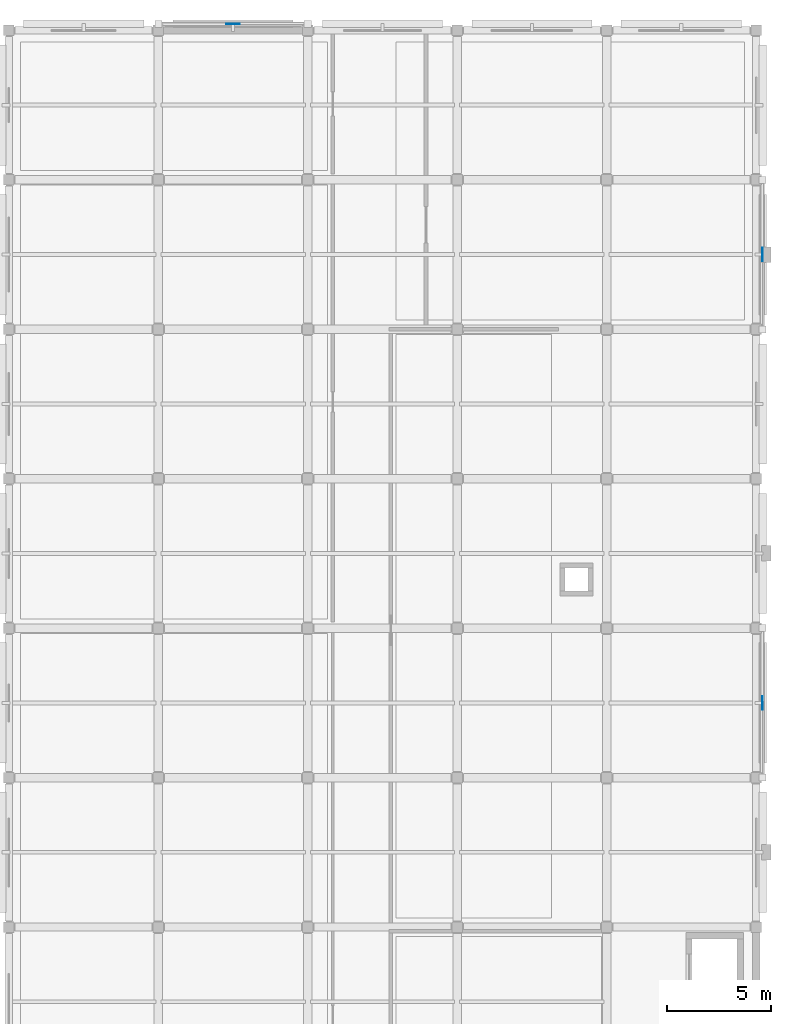
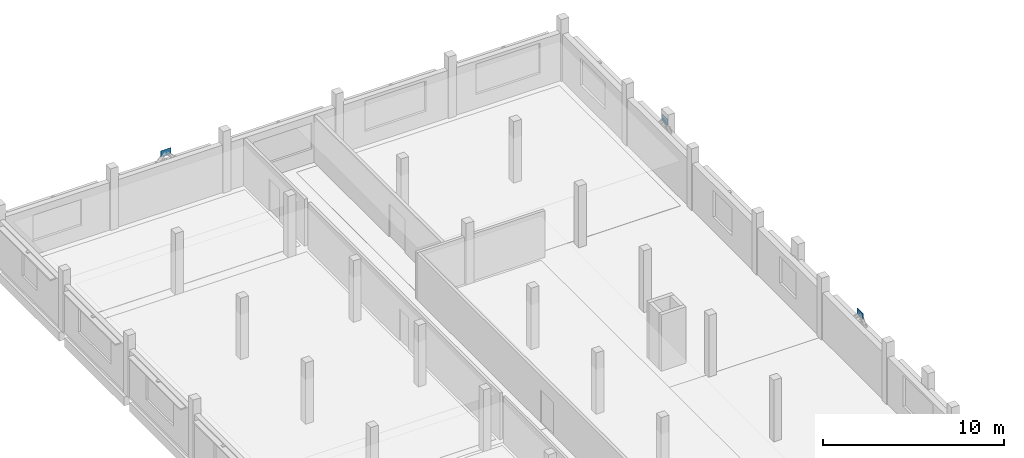
# One storey, part 19 of 33: 3 plates.
"""IFC4 building model written with IfcOpenShell, lengths in metres."""

from ifc_helpers import new_model, si_unit, direction, frame, origin, origin_2d, place, context, subcontext, project, spatial, rectangle, extrude, material, type_object, element, save


model = new_model("IFC4")

# Units and contexts
model_context = context("Model", 3, precision=1e-05, world=origin(), true_north=direction((0.0, 1.0)))
body_context = subcontext(model_context, "Body", "Model", "MODEL_VIEW")
ifc_project = project(units=[si_unit("LENGTHUNIT", "METRE"), si_unit("AREAUNIT", "SQUARE_METRE"), si_unit("VOLUMEUNIT", "CUBIC_METRE"), si_unit("PLANEANGLEUNIT", "RADIAN"), si_unit("MASSUNIT", "GRAM", prefix="KILO")], contexts=[model_context])

# Site, building, storey
site_placement = place(None, origin())
site = spatial("IfcSite", under=ifc_project, at=site_placement, CompositionType="ELEMENT")
building_placement = place(site_placement, origin())
building = spatial("IfcBuilding", under=site, at=building_placement, Name="Valkovuoma Quantum and Materials Research Institute", CompositionType="ELEMENT")
storey_placement = place(building_placement, frame((0.0, 0.0, 21.43994140625)))
storey = spatial("IfcBuildingStorey", under=building, at=storey_placement, Name="L05", CompositionType="ELEMENT", Elevation=21.43994140625)

# Plates
ifc_material = material(Name="Steel S355J2", Category="steel")
plate_type = type_object("IfcPlateType", Name="Plate-PL-SHT2", PredefinedType="SHEET", material=ifc_material)
for number, where, z_axis, x_axis, name in (
    (1, (165.89990234375, 82.800048828125, 3.400146484375), (0.0, 0.0, 1.0), (0.0, 1.0, 0.0), "L05 chevron node sheet plate 13"),
    (2, (165.89990234375, 104.39990234375, 3.400146484375), (0.0, 0.0, 1.0), (0.0, 1.0, 0.0), "L05 chevron node sheet plate 19"),
    (3, (140.39990234375, 115.5, 3.400146484375), (0.0, 0.0, 1.0), (1.0, 0.0, 0.0), "L05 chevron node sheet plate 25"),
):
    element("IfcPlate", number, at=place(storey_placement, frame(where, z_axis=z_axis, x_axis=x_axis)), inside=storey, type_object=plate_type, Name=name, PredefinedType="SHEET", context=body_context, shape_type="SweptSolid", body=[
        extrude(rectangle(XDim=0.64990234375, YDim=0.02001953125, at=origin_2d()), origin(), (0.0, 0.0, 1.0), 0.419921875),
    ])

save(model, "model.ifc")
